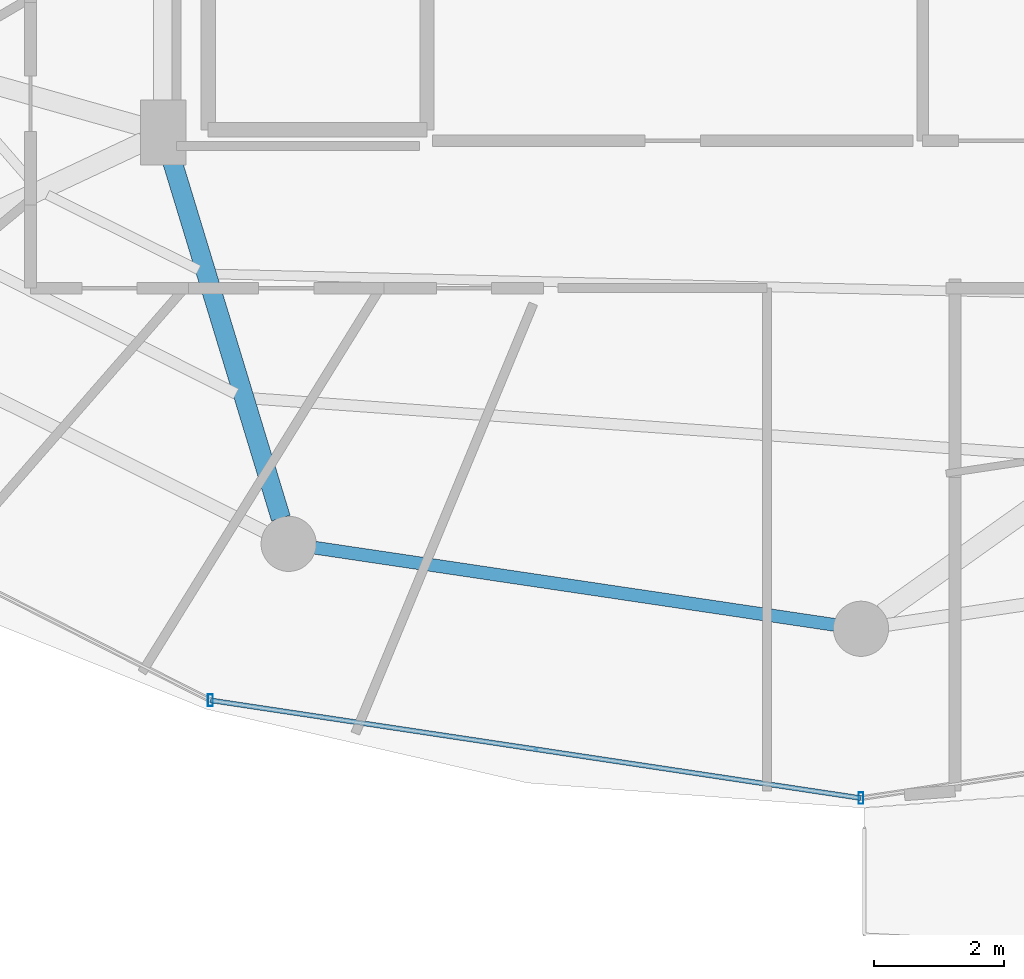
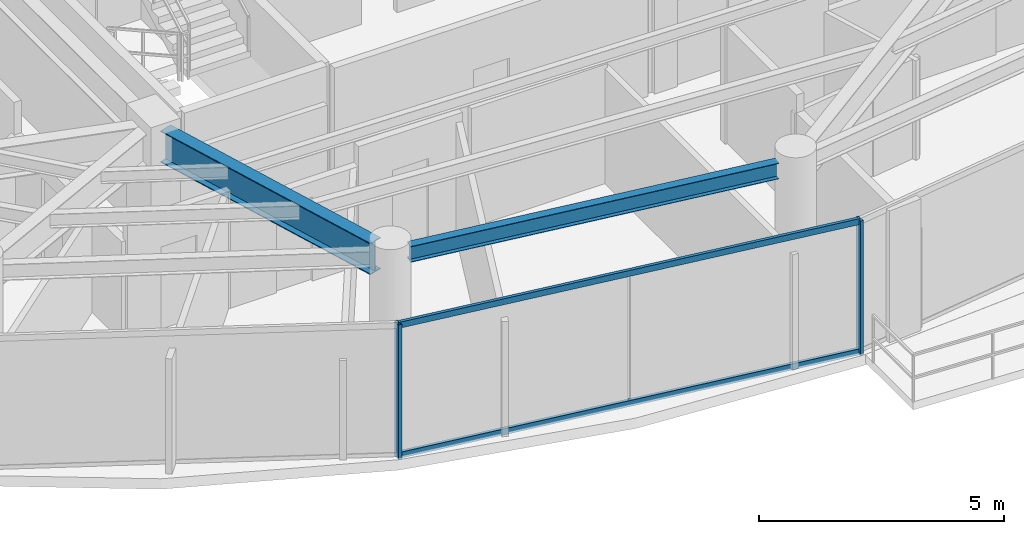
# One storey, part 4 of 30: 4 members, 2 beams, 1 element without a shape of its own.
"""IFC4 building model written with IfcOpenShell, lengths in metres."""

from ifc_helpers import new_model, si_unit, direction, frame, origin, origin_2d, place, context, subcontext, project, spatial, hollow_rectangle, i_section, extrude, material, material_profile, profile_set, type_object, element, aggregate, save


model = new_model("IFC4")

# Units and contexts
model_context = context("Model", 3, precision=1e-05, world=origin(), true_north=direction((0.0, 1.0)))
body_context = subcontext(model_context, "Body", "Model", "MODEL_VIEW")
ifc_project = project(units=[si_unit("LENGTHUNIT", "METRE"), si_unit("AREAUNIT", "SQUARE_METRE"), si_unit("VOLUMEUNIT", "CUBIC_METRE"), si_unit("PLANEANGLEUNIT", "RADIAN"), si_unit("MASSUNIT", "GRAM", prefix="KILO")], contexts=[model_context])

# Site, building, storey
site_placement = place(None, origin())
site = spatial("IfcSite", under=ifc_project, at=site_placement, CompositionType="ELEMENT")
building_placement = place(site_placement, origin())
building = spatial("IfcBuilding", under=site, at=building_placement, Name="Vorneva Point Tower", CompositionType="ELEMENT")
storey_placement = place(building_placement, frame((0.0, 0.0, 237.800048828125)))
storey = spatial("IfcBuildingStorey", under=building, at=storey_placement, Name="L64", CompositionType="ELEMENT", Elevation=237.800048828125)

# Beams
ifc_material_1 = material(Name="Steel S355", Category="steel")
ifc_material_profile_1 = material_profile(ifc_material_1, i_section(OverallWidth=0.300048828125, OverallDepth=0.7880859375, WebThickness=0.014404296875, FlangeThickness=0.02197265625, at=origin_2d()), Name="80Sh1")
ifc_profile_set_1 = profile_set([ifc_material_profile_1], Name="Steel S355")
beam_type_1 = type_object("IfcBeamType", Name="BM-GRD-80Sh1", PredefinedType="USERDEFINED", material=ifc_profile_set_1)
beam_1_placement = place(storey_placement, frame((29.058837890625, 10.50439453125, 2.89599609375), z_axis=(-0.291032624293, 0.956713129207, 0.0), x_axis=(-0.956713129207, -0.291032624293, 0.0)))
element("IfcBeam", 1, at=beam_1_placement, inside=storey, type_object=beam_type_1, Name="L64 Radial Primary Girder 12", ObjectType="GIRDER", PredefinedType="USERDEFINED", context=body_context, shape_type="SweptSolid", body=[
    extrude(i_section(OverallWidth=0.300048828125, OverallDepth=0.7880859375, WebThickness=0.014404296875, FlangeThickness=0.02197265625, at=origin_2d()), origin(), (0.0, 0.0, 1.0), 5.874755859375),
])
ifc_material_profile_2 = material_profile(ifc_material_1, i_section(OverallWidth=0.198974609375, OverallDepth=0.39599609375, WebThickness=0.007080078125, FlangeThickness=0.010986328125, at=origin_2d()), Name="40B1")
ifc_profile_set_2 = profile_set([ifc_material_profile_2], Name="Steel S355")
beam_type_2 = type_object("IfcBeamType", Name="BM-SPN-40B1", PredefinedType="SPANDREL", material=ifc_profile_set_2)
beam_2_placement = place(storey_placement, frame((29.584716796875, 10.049072265625, 3.092041015625), z_axis=(0.989161657331, -0.146830567886, 0.0), x_axis=(0.146830567886, 0.989161657331, 0.0)))
element("IfcBeam", 2, at=beam_2_placement, inside=storey, type_object=beam_type_2, Name="L64 Perimeter Spandrel Ring Beam 12", PredefinedType="SPANDREL", context=body_context, shape_type="SweptSolid", body=[
    extrude(i_section(OverallWidth=0.198974609375, OverallDepth=0.39599609375, WebThickness=0.007080078125, FlangeThickness=0.010986328125, at=origin_2d()), origin(), (0.0, 0.0, 1.0), 8.097412109375),
])

# Curtain wall, members
ifc_material_2 = material(Name="Pale anodised aluminium", Category="aluminium")
curtain_wall_type = type_object("IfcCurtainWallType", Name="CW-RES-SYS", PredefinedType="NOTDEFINED", material=ifc_material_2)
curtain_wall_placement = place(storey_placement, origin())
curtain_wall = element("IfcCurtainWall", 3, at=curtain_wall_placement, inside=storey, type_object=curtain_wall_type, Name="L64 Unitised Curtain Wall CW-L64-R04", PredefinedType="NOTDEFINED")
ifc_material_profile_3 = material_profile(ifc_material_2, hollow_rectangle(XDim=0.074951171875, YDim=0.179931640625, WallThickness=0.00390625, at=origin_2d()), Name="AL-MUL 180x75x4")
ifc_profile_set_3 = profile_set([ifc_material_profile_3], Name="Pale anodised aluminium")
member_type_1 = type_object("IfcMemberType", Name="CW-MUL-180", PredefinedType="MULLION", material=ifc_profile_set_3)
member_1_placement = place(storey_placement, frame((27.9736328125, 7.697998046875, -0.0400390625), z_axis=(0.0, 0.0, 1.0), x_axis=(1.0, 0.0, 0.0)))
member_1 = element("IfcMember", 4, at=member_1_placement, type_object=member_type_1, Name="CW-L64-R04 Mullion 02", PredefinedType="MULLION", context=body_context, shape_type="SweptSolid", body=[
    extrude(hollow_rectangle(XDim=0.074951171875, YDim=0.179931640625, WallThickness=0.00390625, at=origin_2d()), origin(), (0.0, 0.0, 1.0), 3.360107421875),
])
member_2_placement = place(storey_placement, frame((38.0, 6.18994140625, -0.0400390625), z_axis=(0.0, 0.0, 1.0), x_axis=(1.0, 0.0, 0.0)))
member_2 = element("IfcMember", 5, at=member_2_placement, type_object=member_type_1, Name="CW-L64-R04 Mullion 03", PredefinedType="MULLION", context=body_context, shape_type="SweptSolid", body=[
    extrude(hollow_rectangle(XDim=0.074951171875, YDim=0.179931640625, WallThickness=0.00390625, at=origin_2d()), origin(), (0.0, 0.0, 1.0), 3.360107421875),
])
ifc_material_profile_4 = material_profile(ifc_material_2, hollow_rectangle(XDim=0.074951171875, YDim=0.14990234375, WallThickness=0.00390625, at=origin_2d()), Name="AL-TRN 150x75x4")
ifc_profile_set_4 = profile_set([ifc_material_profile_4], Name="Pale anodised aluminium")
member_type_2 = type_object("IfcMemberType", Name="CW-TRN-150", PredefinedType="USERDEFINED", material=ifc_profile_set_4)
member_3_placement = place(storey_placement, frame((27.9736328125, 7.697998046875, 0.02001953125), z_axis=(0.988876929856, -0.148736066907, 0.0), x_axis=(0.148736066907, 0.988876929856, 0.0)))
member_3 = element("IfcMember", 6, at=member_3_placement, type_object=member_type_2, Name="CW-L64-R04 Transom 02.1", ObjectType="TRANSOM", PredefinedType="USERDEFINED", context=body_context, shape_type="SweptSolid", body=[
    extrude(hollow_rectangle(XDim=0.074951171875, YDim=0.14990234375, WallThickness=0.00390625, at=origin_2d()), origin(), (0.0, 0.0, 1.0), 10.13916015625),
])
member_4_placement = place(storey_placement, frame((27.9736328125, 7.697998046875, 3.27001953125), z_axis=(0.988876929856, -0.148736066907, 0.0), x_axis=(0.148736066907, 0.988876929856, 0.0)))
member_4 = element("IfcMember", 7, at=member_4_placement, type_object=member_type_2, Name="CW-L64-R04 Transom 02.2", ObjectType="TRANSOM", PredefinedType="USERDEFINED", context=body_context, shape_type="SweptSolid", body=[
    extrude(hollow_rectangle(XDim=0.074951171875, YDim=0.14990234375, WallThickness=0.00390625, at=origin_2d()), origin(), (0.0, 0.0, 1.0), 10.13916015625),
])
aggregate(curtain_wall, [member_1, member_2, member_3, member_4])

save(model, "model.ifc")
